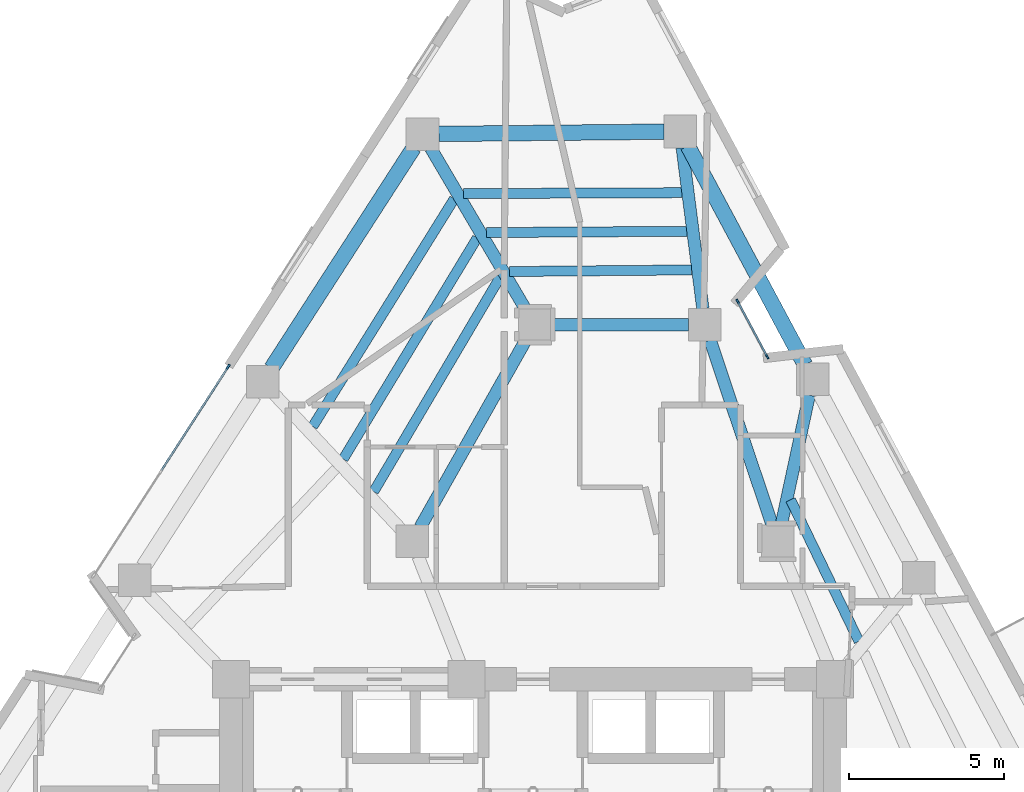
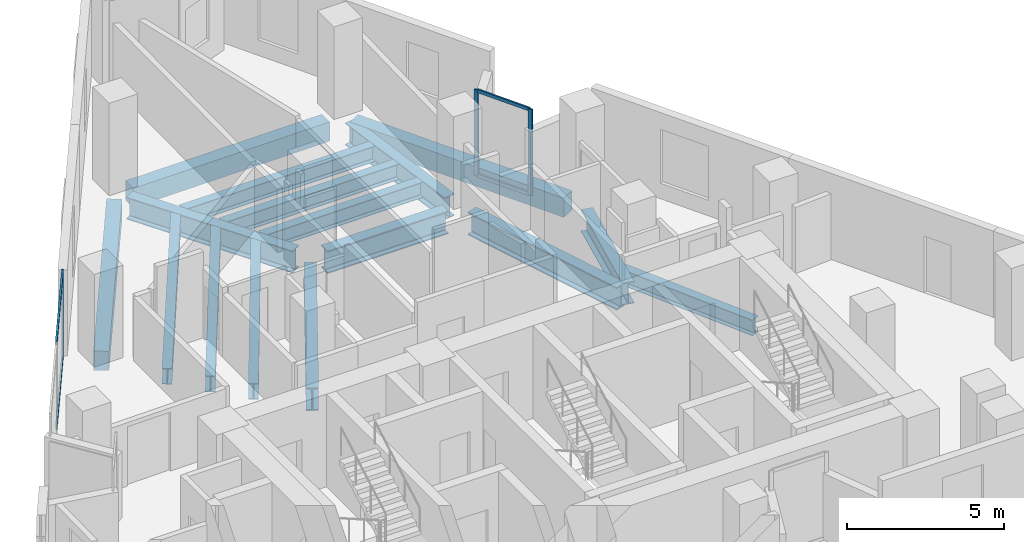
# One storey, part 3 of 11: 16 beams, 7 members, 2 elements without a shape of their own.
"""IFC4 building model written with IfcOpenShell, lengths in metres."""

from ifc_helpers import new_model, si_unit, direction, frame, origin, origin_2d, place, context, subcontext, project, spatial, rectangle, i_section, extrude, material, layer, layer_set, material_profile, profile_set, type_object, element, aggregate, save


model = new_model("IFC4")

# Units and contexts
model_context = context("Model", 3, precision=1e-05, world=origin(), true_north=direction((0.0, 1.0)))
body_context = subcontext(model_context, "Body", "Model", "MODEL_VIEW")
ifc_project = project(units=[si_unit("LENGTHUNIT", "METRE"), si_unit("AREAUNIT", "SQUARE_METRE"), si_unit("VOLUMEUNIT", "CUBIC_METRE"), si_unit("PLANEANGLEUNIT", "RADIAN"), si_unit("MASSUNIT", "GRAM", prefix="KILO")], contexts=[model_context])

# Site, building, storey
site_placement = place(None, origin())
site = spatial("IfcSite", under=ifc_project, at=site_placement, CompositionType="ELEMENT")
building_placement = place(site_placement, origin())
building = spatial("IfcBuilding", under=site, at=building_placement, Name="Almagre Mirador Tower", CompositionType="ELEMENT")
storey_placement = place(building_placement, frame((0.0, 0.0, 189.60009765625)))
storey = spatial("IfcBuildingStorey", under=building, at=storey_placement, Name="L49", CompositionType="ELEMENT", Elevation=189.60009765625)

# Beams
ifc_material_1 = material(Name="Steel ASTM A992 Grade 50", Category="steel")
ifc_material_profile_1 = material_profile(ifc_material_1, i_section(OverallWidth=0.323974609375, OverallDepth=0.611083984375, WebThickness=0.0126953125, FlangeThickness=0.01904296875, FilletRadius=0.02001953125, at=origin_2d()), Name="W24X104")
ifc_profile_set_1 = profile_set([ifc_material_profile_1], Name="Steel ASTM A992 Grade 50")
beam_type_1 = type_object("IfcBeamType", Name="BM-JST-W24X104", PredefinedType="JOIST", material=ifc_profile_set_1)
beam_1_placement = place(storey_placement, frame((47.822021484375, 15.97265625, -0.5556640625), z_axis=(-0.434740994788, 0.900555532686, 0.0), x_axis=(-0.900555532686, -0.434740994788, 0.0)))
element("IfcBeam", 1, at=beam_1_placement, inside=storey, type_object=beam_type_1, Name="L49 secondary floor joist PC06-PC07.3", PredefinedType="JOIST", context=body_context, shape_type="SweptSolid", body=[
    extrude(i_section(OverallWidth=0.323974609375, OverallDepth=0.611083984375, WebThickness=0.0126953125, FlangeThickness=0.01904296875, FilletRadius=0.02001953125, at=origin_2d()), origin(), (0.0, 0.0, 1.0), 5.075439453125),
])
beam_2_placement = place(storey_placement, frame((42.10400390625, 30.45849609375, -0.5556640625), z_axis=(-0.999991632659, -0.004090796071, 0.0), x_axis=(0.004090796071, -0.999991632659, 0.0)))
element("IfcBeam", 2, at=beam_2_placement, inside=storey, type_object=beam_type_1, Name="L49 secondary floor joist PC08-PC09.1", PredefinedType="JOIST", context=body_context, shape_type="SweptSolid", body=[
    extrude(i_section(OverallWidth=0.323974609375, OverallDepth=0.611083984375, WebThickness=0.0126953125, FlangeThickness=0.01904296875, FilletRadius=0.02001953125, at=origin_2d()), origin(), (0.0, 0.0, 1.0), 7.042236328125),
])
beam_3_placement = place(storey_placement, frame((42.263916015625, 29.2119140625, -0.5556640625), z_axis=(-0.999980331831, -0.006271837952, 0.0), x_axis=(0.006271837952, -0.999980331831, 0.0)))
element("IfcBeam", 3, at=beam_3_placement, inside=storey, type_object=beam_type_1, Name="L49 secondary floor joist PC08-PC09.2", PredefinedType="JOIST", context=body_context, shape_type="SweptSolid", body=[
    extrude(i_section(OverallWidth=0.323974609375, OverallDepth=0.611083984375, WebThickness=0.0126953125, FlangeThickness=0.01904296875, FilletRadius=0.02001953125, at=origin_2d()), origin(), (0.0, 0.0, 1.0), 6.4619140625),
])
beam_4_placement = place(storey_placement, frame((42.423828125, 27.965087890625, -0.5556640625), z_axis=(-0.999960909952, -0.008841864495, 0.0), x_axis=(0.008841864495, -0.999960909952, 0.0)))
element("IfcBeam", 4, at=beam_4_placement, inside=storey, type_object=beam_type_1, Name="L49 secondary floor joist PC08-PC09.3", PredefinedType="JOIST", context=body_context, shape_type="SweptSolid", body=[
    extrude(i_section(OverallWidth=0.323974609375, OverallDepth=0.611083984375, WebThickness=0.0126953125, FlangeThickness=0.01904296875, FilletRadius=0.02001953125, at=origin_2d()), origin(), (0.0, 0.0, 1.0), 5.88134765625),
])
beam_5_placement = place(storey_placement, frame((34.7568359375, 30.259521484375, -0.5556640625), z_axis=(-0.527958865584, -0.849269943099, 0.0), x_axis=(0.849269943099, -0.527958865584, 0.0)))
element("IfcBeam", 5, at=beam_5_placement, inside=storey, type_object=beam_type_1, Name="L49 secondary floor joist PC09-PC10.1", PredefinedType="JOIST", context=body_context, shape_type="SweptSolid", body=[
    extrude(i_section(OverallWidth=0.323974609375, OverallDepth=0.611083984375, WebThickness=0.0126953125, FlangeThickness=0.01904296875, FilletRadius=0.02001953125, at=origin_2d()), origin(), (0.0, 0.0, 1.0), 8.6552734375),
])
beam_6_placement = place(storey_placement, frame((35.499267578125, 28.99951171875, -0.5556640625), z_axis=(-0.518248582566, -0.855230031435, 0.0), x_axis=(0.855230031435, -0.518248582566, 0.0)))
element("IfcBeam", 6, at=beam_6_placement, inside=storey, type_object=beam_type_1, Name="L49 secondary floor joist PC09-PC10.2", PredefinedType="JOIST", context=body_context, shape_type="SweptSolid", body=[
    extrude(i_section(OverallWidth=0.323974609375, OverallDepth=0.611083984375, WebThickness=0.0126953125, FlangeThickness=0.01904296875, FilletRadius=0.02001953125, at=origin_2d()), origin(), (0.0, 0.0, 1.0), 8.3505859375),
])
beam_7_placement = place(storey_placement, frame((36.241943359375, 27.739501953125, -0.5556640625), z_axis=(-0.507774337639, -0.861490117201, 0.0), x_axis=(0.861490117201, -0.507774337639, 0.0)))
element("IfcBeam", 7, at=beam_7_placement, inside=storey, type_object=beam_type_1, Name="L49 secondary floor joist PC09-PC10.3", PredefinedType="JOIST", context=body_context, shape_type="SweptSolid", body=[
    extrude(i_section(OverallWidth=0.323974609375, OverallDepth=0.611083984375, WebThickness=0.0126953125, FlangeThickness=0.01904296875, FilletRadius=0.02001953125, at=origin_2d()), origin(), (0.0, 0.0, 1.0), 8.047119140625),
])
ifc_material_2 = material(Name="Precast concrete C50/60", Category="concrete")
ifc_material_profile_2 = material_profile(ifc_material_2, rectangle(XDim=0.5, YDim=0.75, at=origin_2d()), Name="RC500X750")
ifc_profile_set_2 = profile_set([ifc_material_profile_2], Name="Precast concrete C50/60")
beam_type_2 = type_object("IfcBeamType", Name="BM-SPN-RC500X750", PredefinedType="SPANDREL", material=ifc_profile_set_2)
beam_8_placement = place(storey_placement, frame((46.082275390625, 24.89697265625, -0.625), z_axis=(-0.471728183201, 0.881744022477, 0.0), x_axis=(-0.881744022477, -0.471728183201, 0.0)))
element("IfcBeam", 8, at=beam_8_placement, inside=storey, type_object=beam_type_2, Name="L49 perimeter spandrel beam PC07-PC08", PredefinedType="SPANDREL", context=body_context, shape_type="SweptSolid", body=[
    extrude(rectangle(XDim=0.5, YDim=0.75, at=origin_2d()), origin(), (0.0, 0.0, 1.0), 8.02294921875),
])
beam_9_placement = place(storey_placement, frame((41.52490234375, 32.4287109375, -0.625), z_axis=(-0.999948885843, -0.010110672667, 0.0), x_axis=(0.010110672667, -0.999948885843, 0.0)))
element("IfcBeam", 9, at=beam_9_placement, inside=storey, type_object=beam_type_2, Name="L49 perimeter spandrel beam PC08-PC09", PredefinedType="SPANDREL", context=body_context, shape_type="SweptSolid", body=[
    extrude(rectangle(XDim=0.5, YDim=0.75, at=origin_2d()), origin(), (0.0, 0.0, 1.0), 7.268310546875),
])
beam_10_placement = place(storey_placement, frame((33.447509765625, 31.90869140625, -0.625), z_axis=(-0.542037572895, -0.840354252426, 0.0), x_axis=(0.840354252426, -0.542037572895, 0.0)))
element("IfcBeam", 10, at=beam_10_placement, inside=storey, type_object=beam_type_2, Name="L49 perimeter spandrel beam PC09-PC10", PredefinedType="SPANDREL", context=body_context, shape_type="SweptSolid", body=[
    extrude(rectangle(XDim=0.5, YDim=0.75, at=origin_2d()), origin(), (0.0, 0.0, 1.0), 8.469482421875),
])
ifc_material_3 = material(Name="Steel ASTM A992 Grade 50", Category="steel")
ifc_material_profile_3 = material_profile(ifc_material_3, i_section(OverallWidth=0.39892578125, OverallDepth=0.85595703125, WebThickness=0.018310546875, FlangeThickness=0.029296875, FilletRadius=0.02490234375, at=origin_2d()), Name="W33X201")
ifc_profile_set_3 = profile_set([ifc_material_profile_3], Name="Steel ASTM A992 Grade 50")
beam_type_3 = type_object("IfcBeamType", Name="BM-STL-W33X201", PredefinedType="BEAM", material=ifc_profile_set_3)
beam_11_placement = place(storey_placement, frame((46.21923828125, 23.9208984375, -0.677978515625), z_axis=(-0.21103551524, -0.977478394292, 0.0), x_axis=(0.977478394292, -0.21103551524, 0.0)))
element("IfcBeam", 11, at=beam_11_placement, inside=storey, type_object=beam_type_3, Name="L49 radial floor girder PC07-MC5", PredefinedType="BEAM", context=body_context, shape_type="SweptSolid", body=[
    extrude(i_section(OverallWidth=0.39892578125, OverallDepth=0.85595703125, WebThickness=0.018310546875, FlangeThickness=0.029296875, FilletRadius=0.02490234375, at=origin_2d()), origin(), (0.0, 0.0, 1.0), 4.3046875),
])
beam_12_placement = place(storey_placement, frame((42.11669921875, 31.913330078125, -0.677978515625), z_axis=(0.127311366157, -0.99186280102, 0.0), x_axis=(0.99186280102, 0.127311366157, 0.0)))
element("IfcBeam", 12, at=beam_12_placement, inside=storey, type_object=beam_type_3, Name="L49 radial floor girder PC08-MC6", PredefinedType="BEAM", context=body_context, shape_type="SweptSolid", body=[
    extrude(i_section(OverallWidth=0.39892578125, OverallDepth=0.85595703125, WebThickness=0.018310546875, FlangeThickness=0.029296875, FilletRadius=0.02490234375, at=origin_2d()), origin(), (0.0, 0.0, 1.0), 5.235107421875),
])
beam_13_placement = place(storey_placement, frame((33.998291015625, 31.8974609375, -0.677978515625), z_axis=(0.507048179997, -0.861917712524, 0.0), x_axis=(0.861917712524, 0.507048179997, 0.0)))
element("IfcBeam", 13, at=beam_13_placement, inside=storey, type_object=beam_type_3, Name="L49 radial floor girder PC09-MC7", PredefinedType="BEAM", context=body_context, shape_type="SweptSolid", body=[
    extrude(i_section(OverallWidth=0.39892578125, OverallDepth=0.85595703125, WebThickness=0.018310546875, FlangeThickness=0.029296875, FilletRadius=0.02490234375, at=origin_2d()), origin(), (0.0, 0.0, 1.0), 6.085205078125),
])
ifc_material_4 = material(Name="Steel ASTM A992 Grade 50", Category="steel")
ifc_material_profile_4 = material_profile(ifc_material_4, i_section(OverallWidth=0.404052734375, OverallDepth=0.884033203125, WebThickness=0.0244140625, FlangeThickness=0.0439453125, FilletRadius=0.02490234375, at=origin_2d()), Name="W33X291")
ifc_profile_set_4 = profile_set([ifc_material_profile_4], Name="Steel ASTM A992 Grade 50")
beam_type_4 = type_object("IfcBeamType", Name="BM-STL-W33X291", PredefinedType="BEAM", material=ifc_profile_set_4)
beam_14_placement = place(storey_placement, frame((37.875, 26.199951171875, -0.692138671875), z_axis=(1.0, 0.0, 0.0), x_axis=(0.0, 1.0, 0.0)))
element("IfcBeam", 14, at=beam_14_placement, inside=storey, type_object=beam_type_4, Name="L49 core tie girder MC7-MC6", PredefinedType="BEAM", context=body_context, shape_type="SweptSolid", body=[
    extrude(i_section(OverallWidth=0.404052734375, OverallDepth=0.884033203125, WebThickness=0.0244140625, FlangeThickness=0.0439453125, FilletRadius=0.02490234375, at=origin_2d()), origin(), (0.0, 0.0, 1.0), 4.449951171875),
])
beam_15_placement = place(storey_placement, frame((43.01708984375, 25.702392578125, -0.692138671875), z_axis=(0.318262189587, -0.948002731367, 0.0), x_axis=(0.948002731367, 0.318262189587, 0.0)))
element("IfcBeam", 15, at=beam_15_placement, inside=storey, type_object=beam_type_4, Name="L49 core tie girder MC6-MC5", PredefinedType="BEAM", context=body_context, shape_type="SweptSolid", body=[
    extrude(i_section(OverallWidth=0.404052734375, OverallDepth=0.884033203125, WebThickness=0.0244140625, FlangeThickness=0.0439453125, FilletRadius=0.02490234375, at=origin_2d()), origin(), (0.0, 0.0, 1.0), 6.333984375),
])
beam_16_placement = place(storey_placement, frame((37.092041015625, 25.742919921875, -0.692138671875), z_axis=(-0.491443510044, -0.870909453638, 0.0), x_axis=(0.870909453638, -0.491443510044, 0.0)))
element("IfcBeam", 16, at=beam_16_placement, inside=storey, type_object=beam_type_4, Name="L49 core tie girder MC7-MC8", PredefinedType="BEAM", context=body_context, shape_type="SweptSolid", body=[
    extrude(i_section(OverallWidth=0.404052734375, OverallDepth=0.884033203125, WebThickness=0.0244140625, FlangeThickness=0.0439453125, FilletRadius=0.02490234375, at=origin_2d()), origin(), (0.0, 0.0, 1.0), 6.98779296875),
])

# Curtain wall, members
ifc_material_5 = material(Name="Black anodized aluminium", Category="aluminium")
ifc_layer_1 = layer(ifc_material_5, 0.169921875)
ifc_layer_set_1 = layer_set([ifc_layer_1], Name="Black anodized aluminium")
curtain_wall_type_1 = type_object("IfcCurtainWallType", Name="CW-CRS-SYS", PredefinedType="NOTDEFINED", material=ifc_layer_set_1)
curtain_wall_1_placement = place(storey_placement, origin())
curtain_wall_1 = element("IfcCurtainWall", 17, at=curtain_wall_1_placement, inside=storey, type_object=curtain_wall_type_1, Name="L49 vertical crease curtain wall 03", PredefinedType="NOTDEFINED")
ifc_material_6 = material(Name="Black anodized aluminium", Category="aluminium")
ifc_material_profile_5 = material_profile(ifc_material_6, rectangle(XDim=0.06005859375, YDim=0.14990234375, at=origin_2d()), Name="CWM60X150")
ifc_profile_set_5 = profile_set([ifc_material_profile_5], Name="Black anodized aluminium")
member_type_1 = type_object("IfcMemberType", Name="MBR-CWM60X150", PredefinedType="MULLION", material=ifc_profile_set_5)
member_1_placement = place(storey_placement, frame((43.9052734375, 26.95263671875, 0.0), z_axis=(0.0, 0.0, 1.0), x_axis=(0.881742992316, 0.47173010875, 0.0)))
member_1 = element("IfcMember", 18, at=member_1_placement, type_object=member_type_1, Name="CW-4 mullion 1", PredefinedType="MULLION", context=body_context, shape_type="SweptSolid", body=[
    extrude(rectangle(XDim=0.06005859375, YDim=0.14990234375, at=origin_2d()), origin(), (0.0, 0.0, 1.0), 3.349853515625),
])
member_2_placement = place(storey_placement, frame((44.86279296875, 25.162353515625, 0.0), z_axis=(0.0, 0.0, 1.0), x_axis=(0.881742992316, 0.47173010875, 0.0)))
member_2 = element("IfcMember", 19, at=member_2_placement, type_object=member_type_1, Name="CW-4 mullion 2", PredefinedType="MULLION", context=body_context, shape_type="SweptSolid", body=[
    extrude(rectangle(XDim=0.06005859375, YDim=0.14990234375, at=origin_2d()), origin(), (0.0, 0.0, 1.0), 3.349853515625),
])

# Curtain wall, member
ifc_material_7 = material(Name="Black anodized aluminium", Category="aluminium")
ifc_layer_2 = layer(ifc_material_7, 0.199951171875)
ifc_layer_set_2 = layer_set([ifc_layer_2], Name="Black anodized aluminium")
curtain_wall_type_2 = type_object("IfcCurtainWallType", Name="CW-RES-H-SYS", PredefinedType="NOTDEFINED", material=ifc_layer_set_2)
curtain_wall_2_placement = place(storey_placement, origin())
curtain_wall_2 = element("IfcCurtainWall", 20, at=curtain_wall_2_placement, inside=storey, type_object=curtain_wall_type_2, Name="L49 curtain wall run 02", PredefinedType="NOTDEFINED")
ifc_material_8 = material(Name="Black anodized aluminium", Category="aluminium")
ifc_material_profile_6 = material_profile(ifc_material_8, rectangle(XDim=0.06494140625, YDim=0.179931640625, at=origin_2d()), Name="CWM65X180")
ifc_profile_set_6 = profile_set([ifc_material_profile_6], Name="Black anodized aluminium")
member_type_2 = type_object("IfcMemberType", Name="MBR-CWM65X180", PredefinedType="MULLION", material=ifc_profile_set_6)
member_3_placement = place(storey_placement, frame((27.45703125, 24.833740234375, 0.0), z_axis=(0.0, 0.0, 1.0), x_axis=(-0.8403699469, 0.542013240011, 0.0)))
member_3 = element("IfcMember", 21, at=member_3_placement, type_object=member_type_2, Name="CW-3 mullion 3", PredefinedType="MULLION", context=body_context, shape_type="SweptSolid", body=[
    extrude(rectangle(XDim=0.06494140625, YDim=0.179931640625, at=origin_2d()), origin(), (0.0, 0.0, 1.0), 3.349853515625),
])

# Member
ifc_material_9 = material(Name="Black anodized aluminium", Category="aluminium")
ifc_material_profile_7 = material_profile(ifc_material_9, rectangle(XDim=0.06005859375, YDim=0.1298828125, at=origin_2d()), Name="CWT60X130")
ifc_profile_set_7 = profile_set([ifc_material_profile_7], Name="Black anodized aluminium")
member_type_3 = type_object("IfcMemberType", Name="MBR-CWT60X130", PredefinedType="USERDEFINED", material=ifc_profile_set_7)
member_4_placement = place(storey_placement, frame((43.919189453125, 26.926025390625, 0.02978515625), z_axis=(0.471777732693, -0.881717511981, 0.0), x_axis=(0.881717511981, 0.471777732693, 0.0)))
member_4 = element("IfcMember", 22, at=member_4_placement, type_object=member_type_3, Name="CW-4 transom 1.1", ObjectType="TRANSOM", PredefinedType="USERDEFINED", context=body_context, shape_type="SweptSolid", body=[
    extrude(rectangle(XDim=0.06005859375, YDim=0.1298828125, at=origin_2d()), origin(), (0.0, 0.0, 1.0), 1.969970703125),
])

member_5_placement = place(storey_placement, frame((43.919189453125, 26.926025390625, 3.31982421875), z_axis=(0.471777732693, -0.881717511981, 0.0), x_axis=(0.881717511981, 0.471777732693, 0.0)))
member_5 = element("IfcMember", 23, at=member_5_placement, type_object=member_type_3, Name="CW-4 transom 1.2", ObjectType="TRANSOM", PredefinedType="USERDEFINED", context=body_context, shape_type="SweptSolid", body=[
    extrude(rectangle(XDim=0.06005859375, YDim=0.1298828125, at=origin_2d()), origin(), (0.0, 0.0, 1.0), 1.969970703125),
])

aggregate(curtain_wall_1, [member_1, member_2, member_4, member_5])

ifc_material_10 = material(Name="Black anodized aluminium", Category="aluminium")
ifc_material_profile_8 = material_profile(ifc_material_10, rectangle(XDim=0.06494140625, YDim=0.14990234375, at=origin_2d()), Name="CWT65X150")
ifc_profile_set_8 = profile_set([ifc_material_profile_8], Name="Black anodized aluminium")
member_type_4 = type_object("IfcMemberType", Name="MBR-CWT65X150", PredefinedType="USERDEFINED", material=ifc_profile_set_8)
member_6_placement = place(storey_placement, frame((25.302978515625, 21.493896484375, 0.032470703125), z_axis=(0.542015413888, 0.840368544811, 0.0), x_axis=(-0.840368544811, 0.542015413888, 0.0)))
member_6 = element("IfcMember", 24, at=member_6_placement, type_object=member_type_4, Name="CW-3 transom 2.1", ObjectType="TRANSOM", PredefinedType="USERDEFINED", context=body_context, shape_type="SweptSolid", body=[
    extrude(rectangle(XDim=0.06494140625, YDim=0.14990234375, at=origin_2d()), origin(), (0.0, 0.0, 1.0), 3.941650390625),
])

member_7_placement = place(storey_placement, frame((25.302978515625, 21.493896484375, 3.3173828125), z_axis=(0.542015413888, 0.840368544811, 0.0), x_axis=(-0.840368544811, 0.542015413888, 0.0)))
member_7 = element("IfcMember", 25, at=member_7_placement, type_object=member_type_4, Name="CW-3 transom 2.2", ObjectType="TRANSOM", PredefinedType="USERDEFINED", context=body_context, shape_type="SweptSolid", body=[
    extrude(rectangle(XDim=0.06494140625, YDim=0.14990234375, at=origin_2d()), origin(), (0.0, 0.0, 1.0), 3.941650390625),
])

aggregate(curtain_wall_2, [member_3, member_6, member_7])

save(model, "model.ifc")
